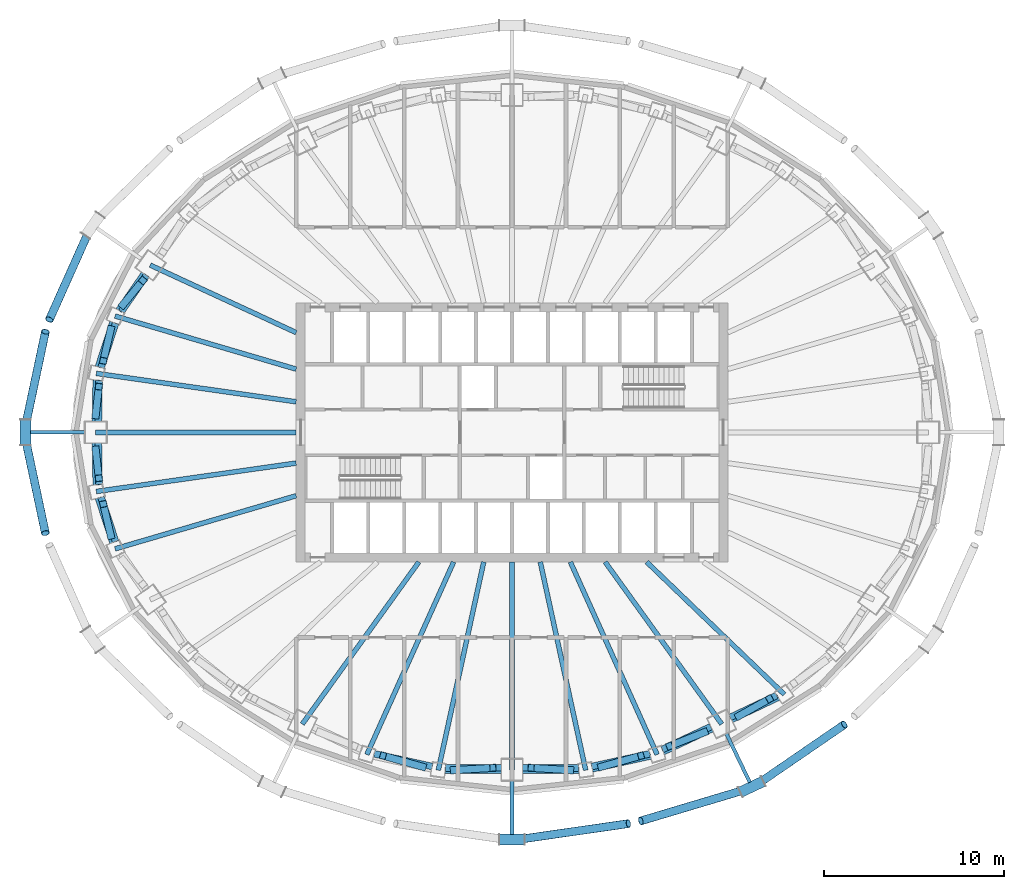
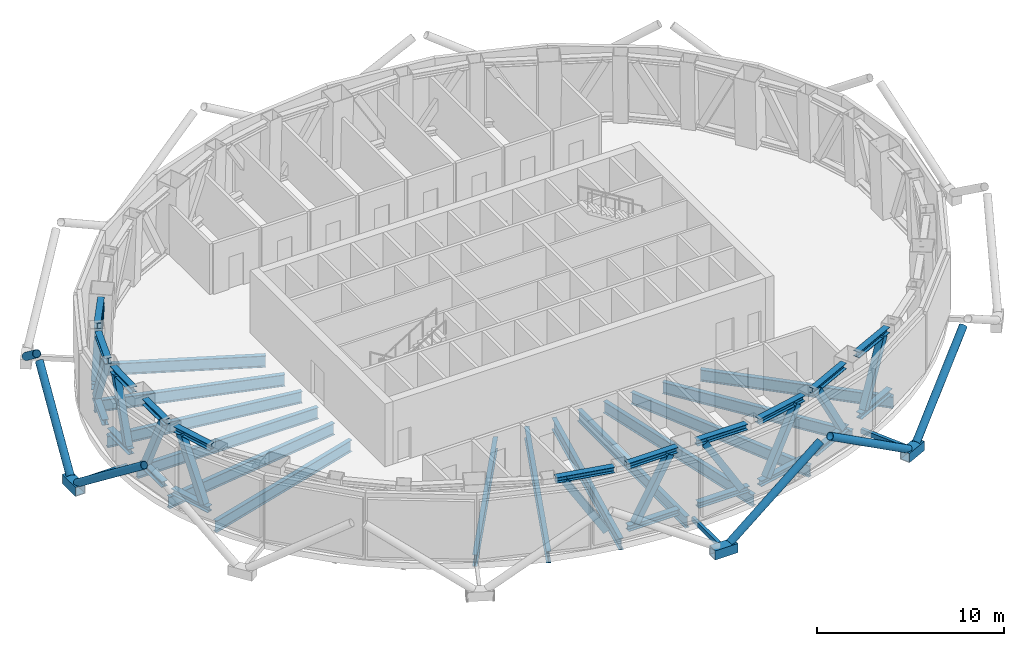
# One storey, part 2 of 16: 35 beams, 23 members.
"""IFC4 building model written with IfcOpenShell, lengths in metres."""

from ifc_helpers import new_model, si_unit, direction, frame, origin, origin_2d, place, context, subcontext, project, spatial, hollow_rectangle, hollow_circle, i_section, extrude, material, material_profile, profile_set, type_object, element, save


model = new_model("IFC4")

# Units and contexts
model_context = context("Model", 3, precision=1e-05, world=origin(), true_north=direction((0.0, 1.0)))
body_context = subcontext(model_context, "Body", "Model", "MODEL_VIEW")
ifc_project = project(units=[si_unit("LENGTHUNIT", "METRE"), si_unit("AREAUNIT", "SQUARE_METRE"), si_unit("VOLUMEUNIT", "CUBIC_METRE"), si_unit("PLANEANGLEUNIT", "RADIAN"), si_unit("MASSUNIT", "GRAM", prefix="KILO")], contexts=[model_context])

# Site, building, storey
site_placement = place(None, origin())
site = spatial("IfcSite", under=ifc_project, at=site_placement, CompositionType="ELEMENT")
building_placement = place(site_placement, origin())
building = spatial("IfcBuilding", under=site, at=building_placement, Name="Siaravel Broadcast Tower", CompositionType="ELEMENT")
storey_placement = place(building_placement, frame((0.0, 0.0, 152.60009765625)))
storey = spatial("IfcBuildingStorey", under=building, at=storey_placement, Name="L36", CompositionType="ELEMENT", Elevation=152.60009765625)

# Beams
ifc_material_1 = material(Name="Steel S355", Category="steel")
ifc_material_profile_1 = material_profile(ifc_material_1, i_section(OverallWidth=0.26513671875, OverallDepth=0.75390625, WebThickness=0.0126953125, FlangeThickness=0.017578125, FilletRadius=0.0166015625, at=origin_2d()))
ifc_profile_set_1 = profile_set([ifc_material_profile_1], Name="Steel S355")
beam_type_1 = type_object("IfcBeamType", Name="BM-UB 762x267x147", PredefinedType="BEAM", material=ifc_profile_set_1)
beam_1_placement = place(storey_placement, frame((-20.111328125, 9.302490234375, -0.777099609375), z_axis=(0.907607264, -0.419820264, 0.0), x_axis=(0.419820264, 0.907607264, 0.0)))
element("IfcBeam", 1, at=beam_1_placement, inside=storey, type_object=beam_type_1, Name="Radial beam RB16", PredefinedType="BEAM", context=body_context, shape_type="SweptSolid", body=[
    extrude(i_section(OverallWidth=0.26513671875, OverallDepth=0.75390625, WebThickness=0.0126953125, FlangeThickness=0.017578125, FilletRadius=0.0166015625, at=origin_2d()), origin(), (0.0, 0.0, 1.0), 8.93701171875),
])
beam_2_placement = place(storey_placement, frame((-22.06640625, 6.4716796875, -0.777099609375), z_axis=(0.959579793, -0.28143671, 0.0), x_axis=(0.28143671, 0.959579793, 0.0)))
element("IfcBeam", 2, at=beam_2_placement, inside=storey, type_object=beam_type_1, Name="Radial beam RB17", PredefinedType="BEAM", context=body_context, shape_type="SweptSolid", body=[
    extrude(i_section(OverallWidth=0.26513671875, OverallDepth=0.75390625, WebThickness=0.0126953125, FlangeThickness=0.017578125, FilletRadius=0.0166015625, at=origin_2d()), origin(), (0.0, 0.0, 1.0), 10.490478515625),
])
beam_3_placement = place(storey_placement, frame((-23.110107421875, 3.282470703125, -0.777099609375), z_axis=(0.990061877, -0.14063243, 0.0), x_axis=(0.14063243, 0.990061877, 0.0)))
element("IfcBeam", 3, at=beam_3_placement, inside=storey, type_object=beam_type_1, Name="Radial beam RB18", PredefinedType="BEAM", context=body_context, shape_type="SweptSolid", body=[
    extrude(i_section(OverallWidth=0.26513671875, OverallDepth=0.75390625, WebThickness=0.0126953125, FlangeThickness=0.017578125, FilletRadius=0.0166015625, at=origin_2d()), origin(), (0.0, 0.0, 1.0), 11.2216796875),
])
beam_4_placement = place(storey_placement, frame((-23.16064453125, 0.0, -0.777099609375), z_axis=(1.0, 0.0, 0.0), x_axis=(0.0, 1.0, 0.0)))
element("IfcBeam", 4, at=beam_4_placement, inside=storey, type_object=beam_type_1, Name="Radial beam RB19", PredefinedType="BEAM", context=body_context, shape_type="SweptSolid", body=[
    extrude(i_section(OverallWidth=0.26513671875, OverallDepth=0.75390625, WebThickness=0.0126953125, FlangeThickness=0.017578125, FilletRadius=0.0166015625, at=origin_2d()), origin(), (0.0, 0.0, 1.0), 11.16064453125),
])
beam_5_placement = place(storey_placement, frame((-23.110107421875, -3.282470703125, -0.777099609375), z_axis=(0.990061877, 0.14063243, 0.0), x_axis=(-0.14063243, 0.990061877, 0.0)))
element("IfcBeam", 5, at=beam_5_placement, inside=storey, type_object=beam_type_1, Name="Radial beam RB20", PredefinedType="BEAM", context=body_context, shape_type="SweptSolid", body=[
    extrude(i_section(OverallWidth=0.26513671875, OverallDepth=0.75390625, WebThickness=0.0126953125, FlangeThickness=0.017578125, FilletRadius=0.0166015625, at=origin_2d()), origin(), (0.0, 0.0, 1.0), 11.2216796875),
])
beam_6_placement = place(storey_placement, frame((-22.06640625, -6.4716796875, -0.777099609375), z_axis=(0.959579793, 0.28143671, 0.0), x_axis=(-0.28143671, 0.959579793, 0.0)))
element("IfcBeam", 6, at=beam_6_placement, inside=storey, type_object=beam_type_1, Name="Radial beam RB21", PredefinedType="BEAM", context=body_context, shape_type="SweptSolid", body=[
    extrude(i_section(OverallWidth=0.26513671875, OverallDepth=0.75390625, WebThickness=0.0126953125, FlangeThickness=0.017578125, FilletRadius=0.0166015625, at=origin_2d()), origin(), (0.0, 0.0, 1.0), 10.490478515625),
])
beam_7_placement = place(storey_placement, frame((-11.66015625, -16.21533203125, -0.777099609375), z_axis=(0.583820417, 0.811882825, 0.0), x_axis=(-0.811882825, 0.583820417, 0.0)))
element("IfcBeam", 7, at=beam_7_placement, inside=storey, type_object=beam_type_1, Name="Radial beam RB25", PredefinedType="BEAM", context=body_context, shape_type="SweptSolid", body=[
    extrude(i_section(OverallWidth=0.26513671875, OverallDepth=0.75390625, WebThickness=0.0126953125, FlangeThickness=0.017578125, FilletRadius=0.0166015625, at=origin_2d()), origin(), (0.0, 0.0, 1.0), 11.104248046875),
])
beam_8_placement = place(storey_placement, frame((-8.069091796875, -17.906982421875, -0.777099609375), z_axis=(0.410827942, 0.911712895, 0.0), x_axis=(-0.911712895, 0.410827942, 0.0)))
element("IfcBeam", 8, at=beam_8_placement, inside=storey, type_object=beam_type_1, Name="Radial beam RB26", PredefinedType="BEAM", context=body_context, shape_type="SweptSolid", body=[
    extrude(i_section(OverallWidth=0.26513671875, OverallDepth=0.75390625, WebThickness=0.0126953125, FlangeThickness=0.017578125, FilletRadius=0.0166015625, at=origin_2d()), origin(), (0.0, 0.0, 1.0), 11.743896484375),
])
beam_9_placement = place(storey_placement, frame((-4.098388671875, -18.778564453125, -0.777099609375), z_axis=(0.213236079, 0.977000703, 0.0), x_axis=(-0.977000703, 0.213236079, 0.0)))
element("IfcBeam", 9, at=beam_9_placement, inside=storey, type_object=beam_type_1, Name="Radial beam RB27", PredefinedType="BEAM", context=body_context, shape_type="SweptSolid", body=[
    extrude(i_section(OverallWidth=0.26513671875, OverallDepth=0.75390625, WebThickness=0.0126953125, FlangeThickness=0.017578125, FilletRadius=0.0166015625, at=origin_2d()), origin(), (0.0, 0.0, 1.0), 11.85107421875),
])
beam_10_placement = place(storey_placement, frame((0.0, -18.772216796875, -0.777099609375), z_axis=(0.0, 1.0, 0.0), x_axis=(-1.0, 0.0, 0.0)))
element("IfcBeam", 10, at=beam_10_placement, inside=storey, type_object=beam_type_1, Name="Radial beam RB28", PredefinedType="BEAM", context=body_context, shape_type="SweptSolid", body=[
    extrude(i_section(OverallWidth=0.26513671875, OverallDepth=0.75390625, WebThickness=0.0126953125, FlangeThickness=0.017578125, FilletRadius=0.0166015625, at=origin_2d()), origin(), (0.0, 0.0, 1.0), 11.572265625),
])
beam_11_placement = place(storey_placement, frame((4.098388671875, -18.778564453125, -0.777099609375), z_axis=(-0.213236079, 0.977000703, 0.0), x_axis=(-0.977000703, -0.213236079, 0.0)))
element("IfcBeam", 11, at=beam_11_placement, inside=storey, type_object=beam_type_1, Name="Radial beam RB29", PredefinedType="BEAM", context=body_context, shape_type="SweptSolid", body=[
    extrude(i_section(OverallWidth=0.26513671875, OverallDepth=0.75390625, WebThickness=0.0126953125, FlangeThickness=0.017578125, FilletRadius=0.0166015625, at=origin_2d()), origin(), (0.0, 0.0, 1.0), 11.85107421875),
])
beam_12_placement = place(storey_placement, frame((8.069091796875, -17.906982421875, -0.777099609375), z_axis=(-0.410827942, 0.911712895, 0.0), x_axis=(-0.911712895, -0.410827942, 0.0)))
element("IfcBeam", 12, at=beam_12_placement, inside=storey, type_object=beam_type_1, Name="Radial beam RB30", PredefinedType="BEAM", context=body_context, shape_type="SweptSolid", body=[
    extrude(i_section(OverallWidth=0.26513671875, OverallDepth=0.75390625, WebThickness=0.0126953125, FlangeThickness=0.017578125, FilletRadius=0.0166015625, at=origin_2d()), origin(), (0.0, 0.0, 1.0), 11.743896484375),
])
beam_13_placement = place(storey_placement, frame((11.66015625, -16.21533203125, -0.777099609375), z_axis=(-0.583820417, 0.811882825, 0.0), x_axis=(-0.811882825, -0.583820417, 0.0)))
element("IfcBeam", 13, at=beam_13_placement, inside=storey, type_object=beam_type_1, Name="Radial beam RB31", PredefinedType="BEAM", context=body_context, shape_type="SweptSolid", body=[
    extrude(i_section(OverallWidth=0.26513671875, OverallDepth=0.75390625, WebThickness=0.0126953125, FlangeThickness=0.017578125, FilletRadius=0.0166015625, at=origin_2d()), origin(), (0.0, 0.0, 1.0), 11.104248046875),
])
beam_14_placement = place(storey_placement, frame((15.141357421875, -14.563720703125, -0.777099609375), z_axis=(-0.720717342, 0.693229048, 0.0), x_axis=(-0.693229048, -0.720717342, 0.0)))
element("IfcBeam", 14, at=beam_14_placement, inside=storey, type_object=beam_type_1, Name="Radial beam RB32", PredefinedType="BEAM", context=body_context, shape_type="SweptSolid", body=[
    extrude(i_section(OverallWidth=0.26513671875, OverallDepth=0.75390625, WebThickness=0.0126953125, FlangeThickness=0.017578125, FilletRadius=0.0166015625, at=origin_2d()), origin(), (0.0, 0.0, 1.0), 10.622314453125),
])
ifc_material_2 = material(Name="Steel S460", Category="steel")
ifc_material_profile_2 = material_profile(ifc_material_2, i_section(OverallWidth=0.37255859375, OverallDepth=0.3681640625, WebThickness=0.01220703125, FlangeThickness=0.023681640625, FilletRadius=0.01513671875, at=origin_2d()))
ifc_profile_set_2 = profile_set([ifc_material_profile_2], Name="Steel S460")
beam_type_2 = type_object("IfcBeamType", Name="Belt truss chord UC 356x368x177", PredefinedType="BEAM", material=ifc_profile_set_2)
beam_15_placement = place(storey_placement, frame((-20.449462890625, 8.812744140625, 0.18408203125), z_axis=(-0.568327471, -0.822802458, 0.0), x_axis=(0.822802458, -0.568327471, 0.0)))
element("IfcBeam", 15, at=beam_15_placement, inside=storey, type_object=beam_type_2, Name="Belt truss 2 bottom chord 16", PredefinedType="BEAM", context=body_context, shape_type="SweptSolid", body=[
    extrude(i_section(OverallWidth=0.37255859375, OverallDepth=0.3681640625, WebThickness=0.01220703125, FlangeThickness=0.023681640625, FilletRadius=0.01513671875, at=origin_2d()), origin(), (0.0, 0.0, 1.0), 2.475341796875),
])
beam_16_placement = place(storey_placement, frame((-20.314697265625, 8.749267578125, 4.165771484375), z_axis=(-0.568863075, -0.822432248, 0.0), x_axis=(0.822432248, -0.568863075, 0.0)))
element("IfcBeam", 16, at=beam_16_placement, inside=storey, type_object=beam_type_2, Name="Belt truss 2 top chord 16", PredefinedType="BEAM", context=body_context, shape_type="SweptSolid", body=[
    extrude(i_section(OverallWidth=0.37255859375, OverallDepth=0.3681640625, WebThickness=0.01220703125, FlangeThickness=0.023681640625, FilletRadius=0.01513671875, at=origin_2d()), origin(), (0.0, 0.0, 1.0), 2.452392578125),
])
beam_17_placement = place(storey_placement, frame((-22.181640625, 6.1201171875, 0.18408203125), z_axis=(-0.310902634, -0.950441767, 0.0), x_axis=(0.950441767, -0.310902634, 0.0)))
element("IfcBeam", 17, at=beam_17_placement, inside=storey, type_object=beam_type_2, Name="Belt truss 2 bottom chord 17", PredefinedType="BEAM", context=body_context, shape_type="SweptSolid", body=[
    extrude(i_section(OverallWidth=0.37255859375, OverallDepth=0.3681640625, WebThickness=0.01220703125, FlangeThickness=0.023681640625, FilletRadius=0.01513671875, at=origin_2d()), origin(), (0.0, 0.0, 1.0), 2.61572265625),
])
beam_18_placement = place(storey_placement, frame((-22.03515625, 6.076416015625, 4.165771484375), z_axis=(-0.31099731, -0.950410792, 0.0), x_axis=(0.950410792, -0.31099731, 0.0)))
element("IfcBeam", 18, at=beam_18_placement, inside=storey, type_object=beam_type_2, Name="Belt truss 2 top chord 17", PredefinedType="BEAM", context=body_context, shape_type="SweptSolid", body=[
    extrude(i_section(OverallWidth=0.37255859375, OverallDepth=0.3681640625, WebThickness=0.01220703125, FlangeThickness=0.023681640625, FilletRadius=0.01513671875, at=origin_2d()), origin(), (0.0, 0.0, 1.0), 2.593017578125),
])
beam_19_placement = place(storey_placement, frame((-23.11572265625, 2.912353515625, 0.18408203125), z_axis=(-0.015484869, -0.999880102, 0.0), x_axis=(0.999880102, -0.015484869, 0.0)))
element("IfcBeam", 19, at=beam_19_placement, inside=storey, type_object=beam_type_2, Name="Belt truss 2 bottom chord 18", PredefinedType="BEAM", context=body_context, shape_type="SweptSolid", body=[
    extrude(i_section(OverallWidth=0.37255859375, OverallDepth=0.3681640625, WebThickness=0.01220703125, FlangeThickness=0.023681640625, FilletRadius=0.01513671875, at=origin_2d()), origin(), (0.0, 0.0, 1.0), 2.317626953125),
])
beam_20_placement = place(storey_placement, frame((-22.962158203125, 2.890380859375, 4.165771484375), z_axis=(-0.014782473, -0.999890733, 0.0), x_axis=(0.999890733, -0.014782473, 0.0)))
element("IfcBeam", 20, at=beam_20_placement, inside=storey, type_object=beam_type_2, Name="Belt truss 2 top chord 18", PredefinedType="BEAM", context=body_context, shape_type="SweptSolid", body=[
    extrude(i_section(OverallWidth=0.37255859375, OverallDepth=0.3681640625, WebThickness=0.01220703125, FlangeThickness=0.023681640625, FilletRadius=0.01513671875, at=origin_2d()), origin(), (0.0, 0.0, 1.0), 2.295654296875),
])
beam_21_placement = place(storey_placement, frame((-23.151611328125, -0.594970703125, 0.18408203125), z_axis=(0.015484869, -0.999880102, 0.0), x_axis=(0.999880102, 0.015484869, 0.0)))
element("IfcBeam", 21, at=beam_21_placement, inside=storey, type_object=beam_type_2, Name="Belt truss 2 bottom chord 19", PredefinedType="BEAM", context=body_context, shape_type="SweptSolid", body=[
    extrude(i_section(OverallWidth=0.37255859375, OverallDepth=0.3681640625, WebThickness=0.01220703125, FlangeThickness=0.023681640625, FilletRadius=0.01513671875, at=origin_2d()), origin(), (0.0, 0.0, 1.0), 2.317626953125),
])
beam_22_placement = place(storey_placement, frame((-22.99609375, -0.594970703125, 4.165771484375), z_axis=(0.014782473, -0.999890733, 0.0), x_axis=(0.999890733, 0.014782473, 0.0)))
element("IfcBeam", 22, at=beam_22_placement, inside=storey, type_object=beam_type_2, Name="Belt truss 2 top chord 19", PredefinedType="BEAM", context=body_context, shape_type="SweptSolid", body=[
    extrude(i_section(OverallWidth=0.37255859375, OverallDepth=0.3681640625, WebThickness=0.01220703125, FlangeThickness=0.023681640625, FilletRadius=0.01513671875, at=origin_2d()), origin(), (0.0, 0.0, 1.0), 2.295654296875),
])
beam_23_placement = place(storey_placement, frame((-22.994873046875, -3.634033203125, 0.18408203125), z_axis=(0.310902634, -0.950441767, 0.0), x_axis=(0.950441767, 0.310902634, 0.0)))
element("IfcBeam", 23, at=beam_23_placement, inside=storey, type_object=beam_type_2, Name="Belt truss 2 bottom chord 20", PredefinedType="BEAM", context=body_context, shape_type="SweptSolid", body=[
    extrude(i_section(OverallWidth=0.37255859375, OverallDepth=0.3681640625, WebThickness=0.01220703125, FlangeThickness=0.023681640625, FilletRadius=0.01513671875, at=origin_2d()), origin(), (0.0, 0.0, 1.0), 2.61572265625),
])
beam_24_placement = place(storey_placement, frame((-22.841552734375, -3.612060546875, 4.165771484375), z_axis=(0.31099731, -0.950410792, 0.0), x_axis=(0.950410792, 0.31099731, 0.0)))
element("IfcBeam", 24, at=beam_24_placement, inside=storey, type_object=beam_type_2, Name="Belt truss 2 top chord 20", PredefinedType="BEAM", context=body_context, shape_type="SweptSolid", body=[
    extrude(i_section(OverallWidth=0.37255859375, OverallDepth=0.3681640625, WebThickness=0.01220703125, FlangeThickness=0.023681640625, FilletRadius=0.01513671875, at=origin_2d()), origin(), (0.0, 0.0, 1.0), 2.593017578125),
])
beam_25_placement = place(storey_placement, frame((-7.654296875, -17.866455078125, 4.165771484375), z_axis=(0.976751527, -0.214374568, 0.0), x_axis=(0.214374568, 0.976751527, 0.0)))
element("IfcBeam", 25, at=beam_25_placement, inside=storey, type_object=beam_type_2, Name="Belt truss 2 top chord 26", PredefinedType="BEAM", context=body_context, shape_type="SweptSolid", body=[
    extrude(i_section(OverallWidth=0.37255859375, OverallDepth=0.3681640625, WebThickness=0.01220703125, FlangeThickness=0.023681640625, FilletRadius=0.01513671875, at=origin_2d()), origin(), (0.0, 0.0, 1.0), 3.298095703125),
])
beam_26_placement = place(storey_placement, frame((-3.728515625, -18.77783203125, 0.18408203125), z_axis=(0.999998904, 0.001480326, 0.0), x_axis=(-0.001480326, 0.999998904, 0.0)))
element("IfcBeam", 26, at=beam_26_placement, inside=storey, type_object=beam_type_2, Name="Belt truss 2 bottom chord 27", PredefinedType="BEAM", context=body_context, shape_type="SweptSolid", body=[
    extrude(i_section(OverallWidth=0.37255859375, OverallDepth=0.3681640625, WebThickness=0.01220703125, FlangeThickness=0.023681640625, FilletRadius=0.01513671875, at=origin_2d()), origin(), (0.0, 0.0, 1.0), 3.133544921875),
])
beam_27_placement = place(storey_placement, frame((-3.701416015625, -18.652099609375, 4.165771484375), z_axis=(0.999997912, 0.002043378, 0.0), x_axis=(-0.002043378, 0.999997912, 0.0)))
element("IfcBeam", 27, at=beam_27_placement, inside=storey, type_object=beam_type_2, Name="Belt truss 2 top chord 27", PredefinedType="BEAM", context=body_context, shape_type="SweptSolid", body=[
    extrude(i_section(OverallWidth=0.37255859375, OverallDepth=0.3681640625, WebThickness=0.01220703125, FlangeThickness=0.023681640625, FilletRadius=0.01513671875, at=origin_2d()), origin(), (0.0, 0.0, 1.0), 3.1064453125),
])
beam_28_placement = place(storey_placement, frame((0.594970703125, -18.773193359375, 0.18408203125), z_axis=(0.999998904, -0.001480326, 0.0), x_axis=(0.001480326, 0.999998904, 0.0)))
element("IfcBeam", 28, at=beam_28_placement, inside=storey, type_object=beam_type_2, Name="Belt truss 2 bottom chord 28", PredefinedType="BEAM", context=body_context, shape_type="SweptSolid", body=[
    extrude(i_section(OverallWidth=0.37255859375, OverallDepth=0.3681640625, WebThickness=0.01220703125, FlangeThickness=0.023681640625, FilletRadius=0.01513671875, at=origin_2d()), origin(), (0.0, 0.0, 1.0), 3.133544921875),
])
beam_29_placement = place(storey_placement, frame((0.594970703125, -18.645751953125, 4.165771484375), z_axis=(0.999997912, -0.002043378, 0.0), x_axis=(0.002043378, 0.999997912, 0.0)))
element("IfcBeam", 29, at=beam_29_placement, inside=storey, type_object=beam_type_2, Name="Belt truss 2 top chord 28", PredefinedType="BEAM", context=body_context, shape_type="SweptSolid", body=[
    extrude(i_section(OverallWidth=0.37255859375, OverallDepth=0.3681640625, WebThickness=0.01220703125, FlangeThickness=0.023681640625, FilletRadius=0.01513671875, at=origin_2d()), origin(), (0.0, 0.0, 1.0), 3.1064453125),
])
beam_30_placement = place(storey_placement, frame((4.4599609375, -18.69921875, 0.18408203125), z_axis=(0.976746968, 0.214395335, 0.0), x_axis=(-0.214395335, 0.976746968, 0.0)))
element("IfcBeam", 30, at=beam_30_placement, inside=storey, type_object=beam_type_2, Name="Belt truss 2 bottom chord 29", PredefinedType="BEAM", context=body_context, shape_type="SweptSolid", body=[
    extrude(i_section(OverallWidth=0.37255859375, OverallDepth=0.3681640625, WebThickness=0.01220703125, FlangeThickness=0.023681640625, FilletRadius=0.01513671875, at=origin_2d()), origin(), (0.0, 0.0, 1.0), 3.3251953125),
])
beam_31_placement = place(storey_placement, frame((4.432861328125, -18.573486328125, 4.165771484375), z_axis=(0.976751527, 0.214374568, 0.0), x_axis=(-0.214374568, 0.976751527, 0.0)))
element("IfcBeam", 31, at=beam_31_placement, inside=storey, type_object=beam_type_2, Name="Belt truss 2 top chord 29", PredefinedType="BEAM", context=body_context, shape_type="SweptSolid", body=[
    extrude(i_section(OverallWidth=0.37255859375, OverallDepth=0.3681640625, WebThickness=0.01220703125, FlangeThickness=0.023681640625, FilletRadius=0.01513671875, at=origin_2d()), origin(), (0.0, 0.0, 1.0), 3.298095703125),
])
beam_32_placement = place(storey_placement, frame((8.40380859375, -17.74951171875, 0.18408203125), z_axis=(0.904632623, 0.426192231, 0.0), x_axis=(-0.426192231, 0.904632623, 0.0)))
element("IfcBeam", 32, at=beam_32_placement, inside=storey, type_object=beam_type_2, Name="Belt truss 2 bottom chord 30", PredefinedType="BEAM", context=body_context, shape_type="SweptSolid", body=[
    extrude(i_section(OverallWidth=0.37255859375, OverallDepth=0.3681640625, WebThickness=0.01220703125, FlangeThickness=0.023681640625, FilletRadius=0.01513671875, at=origin_2d()), origin(), (0.0, 0.0, 1.0), 3.004638671875),
])
beam_33_placement = place(storey_placement, frame((8.350341796875, -17.62939453125, 4.165771484375), z_axis=(0.904454268, 0.426570601, 0.0), x_axis=(-0.426570601, 0.904454268, 0.0)))
element("IfcBeam", 33, at=beam_33_placement, inside=storey, type_object=beam_type_2, Name="Belt truss 2 top chord 30", PredefinedType="BEAM", context=body_context, shape_type="SweptSolid", body=[
    extrude(i_section(OverallWidth=0.37255859375, OverallDepth=0.3681640625, WebThickness=0.01220703125, FlangeThickness=0.023681640625, FilletRadius=0.01513671875, at=origin_2d()), origin(), (0.0, 0.0, 1.0), 2.978515625),
])
beam_34_placement = place(storey_placement, frame((12.19775390625, -15.960205078125, 0.18408203125), z_axis=(0.903484633, 0.428620482, 0.0), x_axis=(-0.428620482, 0.903484633, 0.0)))
element("IfcBeam", 34, at=beam_34_placement, inside=storey, type_object=beam_type_2, Name="Belt truss 2 bottom chord 31", PredefinedType="BEAM", context=body_context, shape_type="SweptSolid", body=[
    extrude(i_section(OverallWidth=0.37255859375, OverallDepth=0.3681640625, WebThickness=0.01220703125, FlangeThickness=0.023681640625, FilletRadius=0.01513671875, at=origin_2d()), origin(), (0.0, 0.0, 1.0), 2.887939453125),
])
beam_35_placement = place(storey_placement, frame((12.119873046875, -15.85009765625, 4.165771484375), z_axis=(0.903710051, 0.428145003, 0.0), x_axis=(-0.428145003, 0.903710051, 0.0)))
element("IfcBeam", 35, at=beam_35_placement, inside=storey, type_object=beam_type_2, Name="Belt truss 2 top chord 31", PredefinedType="BEAM", context=body_context, shape_type="SweptSolid", body=[
    extrude(i_section(OverallWidth=0.37255859375, OverallDepth=0.3681640625, WebThickness=0.01220703125, FlangeThickness=0.023681640625, FilletRadius=0.01513671875, at=origin_2d()), origin(), (0.0, 0.0, 1.0), 2.862548828125),
])

# Members
ifc_material_profile_3 = material_profile(ifc_material_2, hollow_rectangle(XDim=0.39990234375, YDim=0.39990234375, WallThickness=0.01611328125, at=origin_2d()))
ifc_profile_set_3 = profile_set([ifc_material_profile_3], Name="Steel S460")
member_type_1 = type_object("IfcMemberType", Name="Belt truss web RHS 400x400x16", PredefinedType="BRACE", material=ifc_profile_set_3)
member_1_placement = place(storey_placement, frame((-21.645263671875, 7.081787109375, 0.338134765625), z_axis=(0.275035178, 0.334869704, 0.901231342), x_axis=(-0.772767413, 0.634689315, 0.0)))
element("IfcMember", 36, at=member_1_placement, inside=storey, type_object=member_type_1, Name="Belt truss 2 web 16", PredefinedType="BRACE", context=body_context, shape_type="SweptSolid", body=[
    extrude(hollow_rectangle(XDim=0.39990234375, YDim=0.39990234375, WallThickness=0.01611328125, at=origin_2d()), origin(), (0.0, 0.0, 1.0), 4.076171875),
])
member_2_placement = place(storey_placement, frame((-22.3037109375, 5.747314453125, 0.338134765625), z_axis=(-0.101776476, -0.430941144, 0.89662215), x_axis=(0.973226224, -0.229849335, 0.0)))
element("IfcMember", 37, at=member_2_placement, inside=storey, type_object=member_type_1, Name="Belt truss 2 web 17", PredefinedType="BRACE", context=body_context, shape_type="SweptSolid", body=[
    extrude(hollow_rectangle(XDim=0.39990234375, YDim=0.39990234375, WallThickness=0.01611328125, at=origin_2d()), origin(), (0.0, 0.0, 1.0), 4.09716796875),
])
for number, where, z_axis, x_axis, name in (
    (38, (-23.14599609375, 0.942626953125, 0.338134765625), (0.044542037, 0.39960049, 0.915606605), (-0.993844916, 0.110780338, 0.0), "Belt truss 2 web 18"),
    (39, (-23.14599609375, -0.942626953125, 0.338134765625), (0.044542037, -0.39960049, 0.915606605), (0.993844916, 0.110780338, 0.0), "Belt truss 2 web 19"),
):
    element("IfcMember", number, at=place(storey_placement, frame(where, z_axis=z_axis, x_axis=x_axis)), inside=storey, type_object=member_type_1, Name=name, PredefinedType="BRACE", context=body_context, shape_type="SweptSolid", body=[
        extrude(hollow_rectangle(XDim=0.39990234375, YDim=0.39990234375, WallThickness=0.01611328125, at=origin_2d()), origin(), (0.0, 0.0, 1.0), 4.01220703125),
    ])
member_3_placement = place(storey_placement, frame((-22.3037109375, -5.747314453125, 0.338134765625), z_axis=(-0.101776476, 0.430941144, 0.89662215), x_axis=(-0.973226224, -0.229849335, 0.0)))
element("IfcMember", 40, at=member_3_placement, inside=storey, type_object=member_type_1, Name="Belt truss 2 web 20", PredefinedType="BRACE", context=body_context, shape_type="SweptSolid", body=[
    extrude(hollow_rectangle(XDim=0.39990234375, YDim=0.39990234375, WallThickness=0.01611328125, at=origin_2d()), origin(), (0.0, 0.0, 1.0), 4.09716796875),
])
member_4_placement = place(storey_placement, frame((-4.947021484375, -18.59228515625, 0.338134765625), z_axis=(-0.512602661, 0.142808513, 0.846666546), x_axis=(-0.268374592, -0.963314631, 0.0)))
element("IfcMember", 41, at=member_4_placement, inside=storey, type_object=member_type_1, Name="Belt truss 2 web 26", PredefinedType="BRACE", context=body_context, shape_type="SweptSolid", body=[
    extrude(hollow_rectangle(XDim=0.39990234375, YDim=0.39990234375, WallThickness=0.01611328125, at=origin_2d()), origin(), (0.0, 0.0, 1.0), 4.3388671875),
])
for number, where, z_axis, x_axis, name in (
    (42, (-3.258544921875, -18.777099609375, 0.338134765625), (0.513116724, 0.030441543, 0.857778841), (-0.059222611, 0.998244801, 0.0), "Belt truss 2 web 27"),
    (43, (3.258544921875, -18.777099609375, 0.338134765625), (-0.513116724, 0.030441543, 0.857778841), (-0.059222611, -0.998244801, 0.0), "Belt truss 2 web 28"),
):
    element("IfcMember", number, at=place(storey_placement, frame(where, z_axis=z_axis, x_axis=x_axis)), inside=storey, type_object=member_type_1, Name=name, PredefinedType="BRACE", context=body_context, shape_type="SweptSolid", body=[
        extrude(hollow_rectangle(XDim=0.39990234375, YDim=0.39990234375, WallThickness=0.01611328125, at=origin_2d()), origin(), (0.0, 0.0, 1.0), 4.28271484375),
    ])
member_5_placement = place(storey_placement, frame((4.947021484375, -18.59228515625, 0.338134765625), z_axis=(0.512602661, 0.142808513, 0.846666546), x_axis=(-0.268374592, 0.963314631, 0.0)))
element("IfcMember", 44, at=member_5_placement, inside=storey, type_object=member_type_1, Name="Belt truss 2 web 29", PredefinedType="BRACE", context=body_context, shape_type="SweptSolid", body=[
    extrude(hollow_rectangle(XDim=0.39990234375, YDim=0.39990234375, WallThickness=0.01611328125, at=origin_2d()), origin(), (0.0, 0.0, 1.0), 4.3388671875),
])
member_6_placement = place(storey_placement, frame((10.714111328125, -16.660888671875, 0.338134765625), z_axis=(-0.462672021, -0.183639349, 0.867301096), x_axis=(0.3689138, -0.929463613, 0.0)))
element("IfcMember", 45, at=member_6_placement, inside=storey, type_object=member_type_1, Name="Belt truss 2 web 30", PredefinedType="BRACE", context=body_context, shape_type="SweptSolid", body=[
    extrude(hollow_rectangle(XDim=0.39990234375, YDim=0.39990234375, WallThickness=0.01611328125, at=origin_2d()), origin(), (0.0, 0.0, 1.0), 4.235595703125),
])
member_7_placement = place(storey_placement, frame((12.589111328125, -15.774658203125, 0.338134765625), z_axis=(0.414423022, 0.231515359, 0.880144419), x_axis=(-0.487702601, 0.873009835, 0.0)))
element("IfcMember", 46, at=member_7_placement, inside=storey, type_object=member_type_1, Name="Belt truss 2 web 31", PredefinedType="BRACE", context=body_context, shape_type="SweptSolid", body=[
    extrude(hollow_rectangle(XDim=0.39990234375, YDim=0.39990234375, WallThickness=0.01611328125, at=origin_2d()), origin(), (0.0, 0.0, 1.0), 4.173828125),
])
ifc_material_profile_4 = material_profile(ifc_material_2, hollow_circle(Radius=0.228515625, WallThickness=0.02001953125, at=origin_2d()))
ifc_profile_set_4 = profile_set([ifc_material_profile_4], Name="Steel S460")
member_type_2 = type_object("IfcMemberType", Name="Diagrid diagonal CHS 457x20", PredefinedType="BRACE", material=ifc_profile_set_4)
member_8_placement = place(storey_placement, frame((-23.50439453125, 11.2255859375, 0.06982421875), z_axis=(-0.329799674, -0.737562567, 0.589265335), x_axis=(0.912893223, -0.408198437, 0.0)))
element("IfcMember", 47, at=member_8_placement, inside=storey, type_object=member_type_2, Name="Diagrid diagonal R15 station 30A", PredefinedType="BRACE", context=body_context, shape_type="SweptSolid", body=[
    extrude(hollow_circle(Radius=0.228515625, WallThickness=0.02001953125, at=origin_2d()), origin(), (0.0, 0.0, 1.0), 6.72021484375),
])
for number, where, z_axis, x_axis, name in (
    (48, (-27.052734375, 0.351318359375, 0.06982421875), (0.166955038, 0.78715219, 0.593731795), (-0.978238322, 0.207484421, 0.0), "Diagrid diagonal R15 station 36C"),
    (49, (-27.052734375, -0.351318359375, 0.06982421875), (0.166955038, -0.78715219, 0.593731795), (0.978238322, 0.207484421, 0.0), "Diagrid diagonal R15 station 36A"),
):
    element("IfcMember", number, at=place(storey_placement, frame(where, z_axis=z_axis, x_axis=x_axis)), inside=storey, type_object=member_type_2, Name=name, PredefinedType="BRACE", context=body_context, shape_type="SweptSolid", body=[
        extrude(hollow_circle(Radius=0.228515625, WallThickness=0.02001953125, at=origin_2d()), origin(), (0.0, 0.0, 1.0), 6.669677734375),
    ])
member_9_placement = place(storey_placement, frame((0.351318359375, -22.629638671875, 0.06982421875), z_axis=(0.833578255, 0.120008674, 0.539207948), x_axis=(-0.142498896, 0.989794961, 0.0)))
element("IfcMember", 50, at=member_9_placement, inside=storey, type_object=member_type_2, Name="Diagrid diagonal R15 station 54A", PredefinedType="BRACE", context=body_context, shape_type="SweptSolid", body=[
    extrude(hollow_circle(Radius=0.228515625, WallThickness=0.02001953125, at=origin_2d()), origin(), (0.0, 0.0, 1.0), 7.343994140625),
])
member_10_placement = place(storey_placement, frame((13.020263671875, -19.8466796875, 0.06982421875), z_axis=(-0.804303377, -0.240302596, 0.543461811), x_axis=(0.286267446, -0.958149753, 0.0)))
element("IfcMember", 51, at=member_10_placement, inside=storey, type_object=member_type_2, Name="Diagrid diagonal R15 station 60C", PredefinedType="BRACE", context=body_context, shape_type="SweptSolid", body=[
    extrude(hollow_circle(Radius=0.228515625, WallThickness=0.02001953125, at=origin_2d()), origin(), (0.0, 0.0, 1.0), 7.28662109375),
])
member_11_placement = place(storey_placement, frame((13.655517578125, -19.54638671875, 0.06982421875), z_axis=(0.682730745, 0.468259992, 0.560902228), x_axis=(-0.565611963, 0.824671515, 0.0)))
element("IfcMember", 52, at=member_11_placement, inside=storey, type_object=member_type_2, Name="Diagrid diagonal R15 station 60A", PredefinedType="BRACE", context=body_context, shape_type="SweptSolid", body=[
    extrude(hollow_circle(Radius=0.228515625, WallThickness=0.02001953125, at=origin_2d()), origin(), (0.0, 0.0, 1.0), 7.06005859375),
])
ifc_material_profile_5 = material_profile(ifc_material_2, hollow_rectangle(XDim=0.60009765625, YDim=0.60009765625, WallThickness=0.0400390625, at=origin_2d()))
ifc_profile_set_5 = profile_set([ifc_material_profile_5], Name="Steel S460")
member_type_3 = type_object("IfcMemberType", Name="Diagrid node BOX 600x600x40", PredefinedType="USERDEFINED", material=ifc_profile_set_5)
for number, where, z_axis, x_axis, name in (
    (53, (-27.052734375, 0.699951171875, -0.2001953125), (0.0, -1.0, 0.0), (1.0, 0.0, 0.0), "Diagrid node R15 station 36"),
    (54, (-0.699951171875, -22.629638671875, -0.2001953125), (1.0, 0.0, 0.0), (0.0, 1.0, 0.0), "Diagrid node R15 station 54"),
    (55, (12.705078125, -19.995849609375, -0.2001953125), (0.904046537, 0.42743404, 0.0), (-0.42743404, 0.904046537, 0.0), "Diagrid node R15 station 60"),
):
    element("IfcMember", number, at=place(storey_placement, frame(where, z_axis=z_axis, x_axis=x_axis)), inside=storey, type_object=member_type_3, Name=name, ObjectType="DIAGRID NODE", PredefinedType="USERDEFINED", context=body_context, shape_type="SweptSolid", body=[
        extrude(hollow_rectangle(XDim=0.60009765625, YDim=0.60009765625, WallThickness=0.0400390625, at=origin_2d()), origin(), (0.0, 0.0, 1.0), 1.39990234375),
    ])
ifc_material_profile_6 = material_profile(ifc_material_2, hollow_rectangle(XDim=0.199951171875, YDim=0.300048828125, WallThickness=0.012451171875, at=origin_2d()))
ifc_profile_set_6 = profile_set([ifc_material_profile_6], Name="Steel S460")
member_type_4 = type_object("IfcMemberType", Name="Diagrid node arm RHS 300x200x12.5", PredefinedType="STRUT", material=ifc_profile_set_6)
member_12_placement = place(storey_placement, frame((-23.755615234375, 0.0, -0.2001953125), z_axis=(-1.0, 0.0, 0.0), x_axis=(0.0, -1.0, 0.0)))
element("IfcMember", 56, at=member_12_placement, inside=storey, type_object=member_type_4, Name="Node arm R15 station 36", PredefinedType="STRUT", context=body_context, shape_type="SweptSolid", body=[
    extrude(hollow_rectangle(XDim=0.199951171875, YDim=0.300048828125, WallThickness=0.012451171875, at=origin_2d()), origin(), (0.0, 0.0, 1.0), 3.027099609375),
])
member_13_placement = place(storey_placement, frame((0.0, -19.3671875, -0.2001953125), z_axis=(0.0, -1.0, 0.0), x_axis=(1.0, 0.0, 0.0)))
element("IfcMember", 57, at=member_13_placement, inside=storey, type_object=member_type_4, Name="Node arm R15 station 54", PredefinedType="STRUT", context=body_context, shape_type="SweptSolid", body=[
    extrude(hollow_rectangle(XDim=0.199951171875, YDim=0.300048828125, WallThickness=0.012451171875, at=origin_2d()), origin(), (0.0, 0.0, 1.0), 2.992431640625),
])
member_14_placement = place(storey_placement, frame((11.91845703125, -16.75146484375, -0.2001953125), z_axis=(0.434175348, -0.900828379, 0.0), x_axis=(0.900828379, 0.434175348, 0.0)))
element("IfcMember", 58, at=member_14_placement, inside=storey, type_object=member_type_4, Name="Node arm R15 station 60", PredefinedType="STRUT", context=body_context, shape_type="SweptSolid", body=[
    extrude(hollow_rectangle(XDim=0.199951171875, YDim=0.300048828125, WallThickness=0.012451171875, at=origin_2d()), origin(), (0.0, 0.0, 1.0), 2.999267578125),
])

save(model, "model.ifc")
